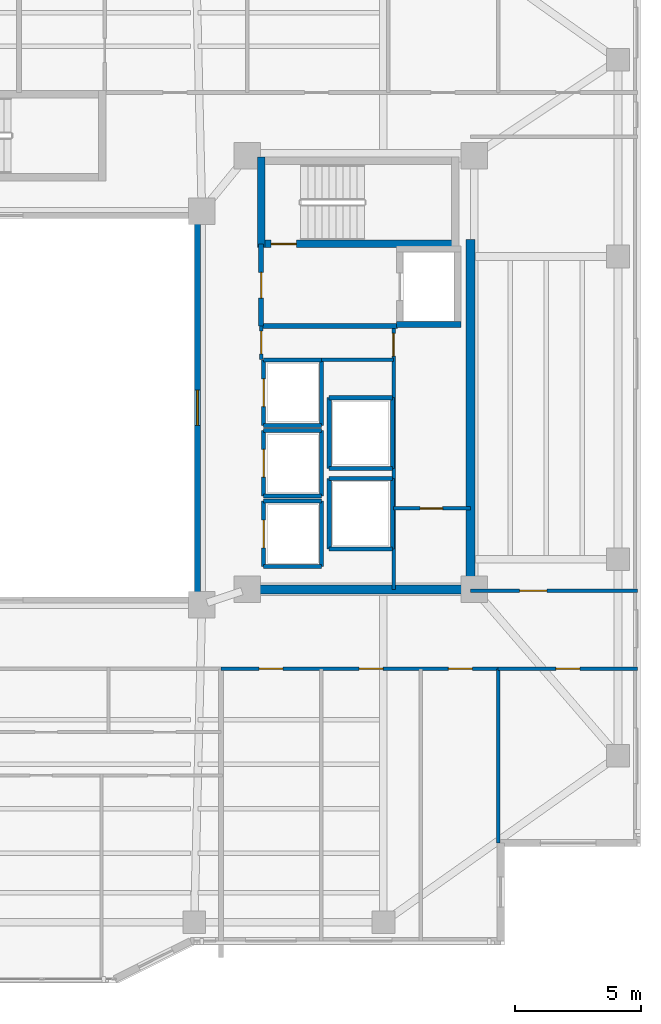
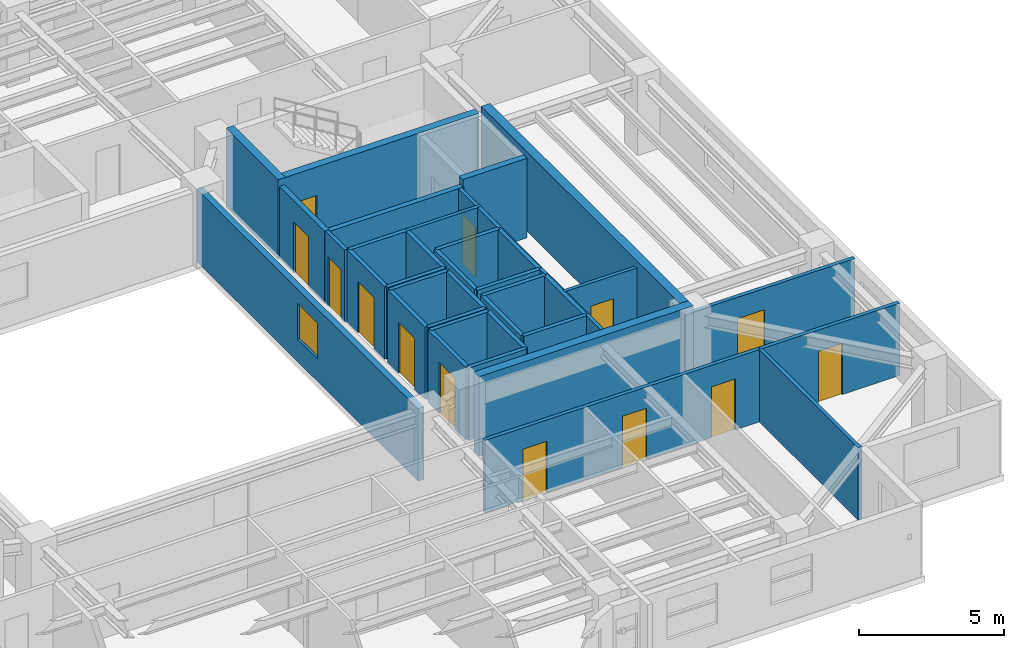
# One storey, part 8 of 15: 36 walls, 13 doors, 1 window, 14 openings.
"""IFC4 building model written with IfcOpenShell, lengths in metres."""

from ifc_helpers import new_model, si_unit, direction, frame, frame_2d, origin, place, context, subcontext, project, spatial, rectangle, extrude, material, layer, layer_set, type_object, element, fill, save


model = new_model("IFC4")

# Units and contexts
model_context = context("Model", 3, precision=1e-05, world=origin(), true_north=direction((0.0, 1.0)))
body_context = subcontext(model_context, "Body", "Model", "MODEL_VIEW")
ifc_project = project(units=[si_unit("LENGTHUNIT", "METRE"), si_unit("AREAUNIT", "SQUARE_METRE"), si_unit("VOLUMEUNIT", "CUBIC_METRE"), si_unit("PLANEANGLEUNIT", "RADIAN"), si_unit("MASSUNIT", "GRAM", prefix="KILO")], contexts=[model_context])

# Site, building, storey
site_placement = place(None, origin())
site = spatial("IfcSite", under=ifc_project, at=site_placement, CompositionType="ELEMENT")
building_placement = place(site_placement, origin())
building = spatial("IfcBuilding", under=site, at=building_placement, Name="Tarnavaz Court Tower", CompositionType="ELEMENT")
storey_placement = place(building_placement, frame((0.0, 0.0, 169.449951171875)))
storey = spatial("IfcBuildingStorey", under=building, at=storey_placement, Name="L46", CompositionType="ELEMENT", Elevation=169.449951171875)

# Wall
ifc_material_1 = material(Name="Concrete C50/60", Category="concrete")
ifc_layer_1 = layer(ifc_material_1, 0.25)
ifc_layer_set_1 = layer_set([ifc_layer_1], Name="Concrete C50/60")
wall_type_1 = type_object("IfcWallType", Name="WL-CORE-250-C50", PredefinedType="SHEAR", material=ifc_layer_set_1)
wall_1_placement = place(storey_placement, frame((15.52490234375, 3.300048828125, 0.0), z_axis=(0.0, 0.0, 1.0), x_axis=(1.0, 0.0, 0.0)))
element("IfcWall", 1, at=wall_1_placement, inside=storey, type_object=wall_type_1, Name="L46 Lift FL-E1 Shaft Wall 035", PredefinedType="SHEAR", context=body_context, shape_type="SweptSolid", body=[
    extrude(rectangle(XDim=2.550048828125, YDim=0.25, at=frame_2d((1.27490234375, 0.0))), origin(), (0.0, 0.0, 1.0), 3.35009765625),
])

# Wall, opening, door
ifc_layer_2 = layer(ifc_material_1, 0.300048828125)
ifc_layer_set_2 = layer_set([ifc_layer_2], Name="Concrete C50/60")
wall_type_2 = type_object("IfcWallType", Name="WL-CORE-300-C50", PredefinedType="SHEAR", material=ifc_layer_set_2)
wall_2_placement = place(storey_placement, frame((10.0, 6.5, 0.0), z_axis=(0.0, 0.0, 1.0), x_axis=(1.0, 0.0, 0.0)))
wall_2 = element("IfcWall", 2, at=wall_2_placement, inside=storey, type_object=wall_type_2, Name="L46 East Stair Core Wall 006", PredefinedType="SHEAR", context=body_context, shape_type="SweptSolid", body=[
    extrude(rectangle(XDim=8.0, YDim=0.300048828125, at=frame_2d((4.0, 0.0))), origin(), (0.0, 0.0, 1.0), 3.35009765625),
])
opening_1_placement = place(wall_2_placement, frame((0.550048828125, 0.0, 0.0)))
opening_1 = element("IfcOpeningElement", 3, at=opening_1_placement, cuts=wall_2, Name="Opening D01", PredefinedType="OPENING", context=body_context, shape_type="SweptSolid", body=[
    extrude(rectangle(XDim=1.0, YDim=2.14990234375, at=frame_2d((0.5, 1.074951171875))), frame((0.0, 0.159912109375, 0.0), z_axis=(0.0, -1.0, 0.0), x_axis=(1.0, 0.0, 0.0)), (0.0, 0.0, 1.0), 0.320068359375),
])
ifc_material_2 = material(Name="Fire-Rated Hardwood Timber Core", Category="wood")
door_type_1 = type_object("IfcDoorType", Name="DR-FD90-1000", OperationType="NOTDEFINED", PredefinedType="DOOR", material=ifc_material_2)
door_1_placement = place(opening_1_placement, origin())
door_1 = element("IfcDoor", 4, at=door_1_placement, inside=storey, type_object=door_type_1, Name="L46 Stair ST-E1 Exit Door", OperationType="SINGLE_SWING_RIGHT", OverallHeight=2.14990234375, OverallWidth=1.0, PredefinedType="DOOR", context=body_context, shape_type="SweptSolid", body=[
    extrude(rectangle(XDim=1.0, YDim=2.14990234375, at=frame_2d((0.5, 1.074951171875))), frame((0.0, 0.02490234375, 0.0), z_axis=(0.0, -1.0, 0.0), x_axis=(1.0, 0.0, 0.0)), (0.0, 0.0, 1.0), 0.050048828125),
])
fill(opening_1, door_1)

# Walls
wall_3_placement = place(storey_placement, frame((10.14990234375, 6.35009765625, 0.0), z_axis=(0.0, 0.0, 1.0), x_axis=(0.0, 1.0, 0.0)))
element("IfcWall", 5, at=wall_3_placement, inside=storey, type_object=wall_type_2, Name="L46 East Stair Core Wall 007", PredefinedType="SHEAR", context=body_context, shape_type="SweptSolid", body=[
    extrude(rectangle(XDim=3.58984375, YDim=0.300048828125, at=frame_2d((1.794921875, 0.0))), origin(), (0.0, 0.0, 1.0), 3.35009765625),
])
ifc_layer_3 = layer(ifc_material_1, 0.35009765625)
ifc_layer_set_3 = layer_set([ifc_layer_3], Name="Concrete C50/60")
wall_type_3 = type_object("IfcWallType", Name="WL-CORE-350-C50", PredefinedType="SHEAR", material=ifc_layer_set_3)
wall_4_placement = place(storey_placement, frame((18.449951171875, -7.375, 0.0), z_axis=(0.0, 0.0, 1.0), x_axis=(0.0, 1.0, 0.0)))
element("IfcWall", 6, at=wall_4_placement, inside=storey, type_object=wall_type_3, Name="L46 East Core Shear Wall 059", PredefinedType="SHEAR", context=body_context, shape_type="SweptSolid", body=[
    extrude(rectangle(XDim=14.050048828125, YDim=0.35009765625, at=frame_2d((7.02490234375, 0.0))), origin(), (0.0, 0.0, 1.0), 3.35009765625),
])
wall_5_placement = place(storey_placement, frame((10.074951171875, -7.199951171875, 0.0), z_axis=(0.0, 0.0, 1.0), x_axis=(1.0, 0.0, 0.0)))
element("IfcWall", 7, at=wall_5_placement, inside=storey, type_object=wall_type_3, Name="L46 East Core South Shear Wall 060", PredefinedType="SHEAR", context=body_context, shape_type="SweptSolid", body=[
    extrude(rectangle(XDim=8.550048828125, YDim=0.35009765625, at=frame_2d((4.27490234375, 0.0))), origin(), (0.0, 0.0, 1.0), 3.35009765625),
])

# Wall, openings, doors
ifc_material_3 = material(Name="Gypsum Fire-Board on Acoustic Metal Stud", Category="masonry")
ifc_layer_4 = layer(ifc_material_3, 0.14990234375)
ifc_layer_set_4 = layer_set([ifc_layer_4], Name="Gypsum Fire-Board on Acoustic Metal Stud")
wall_type_4 = type_object("IfcWallType", Name="WL-FIRE-150", PredefinedType="PARTITIONING", material=ifc_layer_set_4)
wall_6_placement = place(storey_placement, frame((8.550048828125, -10.35009765625, 0.0), z_axis=(0.0, 0.0, 1.0), x_axis=(1.0, 0.0, 0.0)))
wall_6 = element("IfcWall", 8, at=wall_6_placement, inside=storey, type_object=wall_type_4, Name="L46 SE Horseshoe Wall 074", PredefinedType="PARTITIONING", context=body_context, shape_type="SweptSolid", body=[
    extrude(rectangle(XDim=11.0, YDim=0.14990234375, at=frame_2d((5.5, 0.0))), origin(), (0.0, 0.0, 1.0), 3.050048828125),
])
opening_2_placement = place(wall_6_placement, frame((1.51611328125, 0.0, 0.0)))
opening_2 = element("IfcOpeningElement", 9, at=opening_2_placement, cuts=wall_6, Name="Opening D13", PredefinedType="OPENING", context=body_context, shape_type="SweptSolid", body=[
    extrude(rectangle(XDim=0.949951171875, YDim=2.14990234375, at=frame_2d((0.47509765625, 1.074951171875))), frame((0.0, 0.0849609375, 0.0), z_axis=(0.0, -1.0, 0.0), x_axis=(1.0, 0.0, 0.0)), (0.0, 0.0, 1.0), 0.169921875),
])
opening_3_placement = place(wall_6_placement, frame((5.488037109375, 0.0, 0.0)))
opening_3 = element("IfcOpeningElement", 10, at=opening_3_placement, cuts=wall_6, Name="Opening D13", PredefinedType="OPENING", context=body_context, shape_type="SweptSolid", body=[
    extrude(rectangle(XDim=0.949951171875, YDim=2.14990234375, at=frame_2d((0.47509765625, 1.074951171875))), frame((0.0, 0.0849609375, 0.0), z_axis=(0.0, -1.0, 0.0), x_axis=(1.0, 0.0, 0.0)), (0.0, 0.0, 1.0), 0.169921875),
])
opening_4_placement = place(wall_6_placement, frame((9.02197265625, 0.0, 0.0)))
opening_4 = element("IfcOpeningElement", 11, at=opening_4_placement, cuts=wall_6, Name="Opening D13", PredefinedType="OPENING", context=body_context, shape_type="SweptSolid", body=[
    extrude(rectangle(XDim=0.949951171875, YDim=2.14990234375, at=frame_2d((0.47509765625, 1.074951171875))), frame((0.0, 0.0849609375, 0.0), z_axis=(0.0, -1.0, 0.0), x_axis=(1.0, 0.0, 0.0)), (0.0, 0.0, 1.0), 0.169921875),
])
ifc_material_4 = material(Name="Engineered Oak Timber", Category="wood")
door_type_2 = type_object("IfcDoorType", Name="DR-INT-950", OperationType="NOTDEFINED", PredefinedType="DOOR", material=ifc_material_4)
door_2_placement = place(opening_2_placement, origin())
door_2 = element("IfcDoor", 12, at=door_2_placement, inside=storey, type_object=door_type_2, Name="L46 Resident Community Meeting Room Door", OperationType="SINGLE_SWING_RIGHT", OverallHeight=2.14990234375, OverallWidth=0.949951171875, PredefinedType="DOOR", context=body_context, shape_type="SweptSolid", body=[
    extrude(rectangle(XDim=0.949951171875, YDim=2.14990234375, at=frame_2d((0.47509765625, 1.074951171875))), frame((0.0, 0.02490234375, 0.0), z_axis=(0.0, -1.0, 0.0), x_axis=(1.0, 0.0, 0.0)), (0.0, 0.0, 1.0), 0.050048828125),
])
fill(opening_2, door_2)
door_3_placement = place(opening_3_placement, origin())
door_3 = element("IfcDoor", 13, at=door_3_placement, inside=storey, type_object=door_type_2, Name="L46 Craft and Maker Workshop Room Door", OperationType="SINGLE_SWING_LEFT", OverallHeight=2.14990234375, OverallWidth=0.949951171875, PredefinedType="DOOR", context=body_context, shape_type="SweptSolid", body=[
    extrude(rectangle(XDim=0.949951171875, YDim=2.14990234375, at=frame_2d((0.47509765625, 1.074951171875))), frame((0.0, 0.02490234375, 0.0), z_axis=(0.0, -1.0, 0.0), x_axis=(1.0, 0.0, 0.0)), (0.0, 0.0, 1.0), 0.050048828125),
])
fill(opening_3, door_3)
door_4_placement = place(opening_4_placement, origin())
door_4 = element("IfcDoor", 14, at=door_4_placement, inside=storey, type_object=door_type_2, Name="L46 Accessible Washroom WC Door", OperationType="SINGLE_SWING_RIGHT", OverallHeight=2.14990234375, OverallWidth=0.949951171875, PredefinedType="DOOR", context=body_context, shape_type="SweptSolid", body=[
    extrude(rectangle(XDim=0.949951171875, YDim=2.14990234375, at=frame_2d((0.47509765625, 1.074951171875))), frame((0.0, 0.02490234375, 0.0), z_axis=(0.0, -1.0, 0.0), x_axis=(1.0, 0.0, 0.0)), (0.0, 0.0, 1.0), 0.050048828125),
])
fill(opening_4, door_4)

# Wall, opening, door
wall_7_placement = place(storey_placement, frame((18.449951171875, -7.25, 0.0), z_axis=(0.0, 0.0, 1.0), x_axis=(1.0, 0.0, 0.0)))
wall_7 = element("IfcWall", 15, at=wall_7_placement, inside=storey, type_object=wall_type_4, Name="L46 Interior Partition 097", PredefinedType="PARTITIONING", context=body_context, shape_type="SweptSolid", body=[
    extrude(rectangle(XDim=6.630126953125, YDim=0.14990234375, at=frame_2d((3.31494140625, 0.0))), origin(), (0.0, 0.0, 1.0), 3.050048828125),
])
opening_5_placement = place(wall_7_placement, frame((1.949951171875, 0.0, 0.0)))
opening_5 = element("IfcOpeningElement", 16, at=opening_5_placement, cuts=wall_7, Name="Opening D12", PredefinedType="OPENING", context=body_context, shape_type="SweptSolid", body=[
    extrude(rectangle(XDim=1.080078125, YDim=2.14990234375, at=frame_2d((0.5400390625, 1.074951171875))), frame((0.0, 0.0849609375, 0.0), z_axis=(0.0, -1.0, 0.0), x_axis=(1.0, 0.0, 0.0)), (0.0, 0.0, 1.0), 0.169921875),
])
door_type_3 = type_object("IfcDoorType", Name="DR-INT-1100", OperationType="NOTDEFINED", PredefinedType="DOOR", material=ifc_material_4)
door_5_placement = place(opening_5_placement, origin())
door_5 = element("IfcDoor", 17, at=door_5_placement, inside=storey, type_object=door_type_3, Name="L46 East Fitness Lounge Door", OperationType="SINGLE_SWING_RIGHT", OverallHeight=2.14990234375, OverallWidth=1.080078125, PredefinedType="DOOR", context=body_context, shape_type="SweptSolid", body=[
    extrude(rectangle(XDim=1.080078125, YDim=2.14990234375, at=frame_2d((0.5400390625, 1.074951171875))), frame((0.0, 0.02490234375, 0.0), z_axis=(0.0, -1.0, 0.0), x_axis=(1.0, 0.0, 0.0)), (0.0, 0.0, 1.0), 0.050048828125),
])
fill(opening_5, door_5)

wall_8_placement = place(storey_placement, frame((19.550048828125, -10.35009765625, 0.0), z_axis=(0.0, 0.0, 1.0), x_axis=(1.0, 0.0, 0.0)))
wall_8 = element("IfcWall", 18, at=wall_8_placement, inside=storey, type_object=wall_type_4, Name="L46 Interior Partition 106", PredefinedType="PARTITIONING", context=body_context, shape_type="SweptSolid", body=[
    extrude(rectangle(XDim=5.530029296875, YDim=0.14990234375, at=frame_2d((2.76513671875, 0.0))), origin(), (0.0, 0.0, 1.0), 3.050048828125),
])
opening_6_placement = place(wall_8_placement, frame((2.2900390625, 0.0, 0.0)))
opening_6 = element("IfcOpeningElement", 19, at=opening_6_placement, cuts=wall_8, Name="Opening D13", PredefinedType="OPENING", context=body_context, shape_type="SweptSolid", body=[
    extrude(rectangle(XDim=0.949951171875, YDim=2.14990234375, at=frame_2d((0.47509765625, 1.074951171875))), frame((0.0, 0.0849609375, 0.0), z_axis=(0.0, -1.0, 0.0), x_axis=(1.0, 0.0, 0.0)), (0.0, 0.0, 1.0), 0.169921875),
])
door_6_placement = place(opening_6_placement, origin())
door_6 = element("IfcDoor", 20, at=door_6_placement, inside=storey, type_object=door_type_2, Name="L46 SE Reading Room Door", OperationType="SINGLE_SWING_RIGHT", OverallHeight=2.14990234375, OverallWidth=0.949951171875, PredefinedType="DOOR", context=body_context, shape_type="SweptSolid", body=[
    extrude(rectangle(XDim=0.949951171875, YDim=2.14990234375, at=frame_2d((0.47509765625, 1.074951171875))), frame((0.0, 0.02490234375, 0.0), z_axis=(0.0, -1.0, 0.0), x_axis=(1.0, 0.0, 0.0)), (0.0, 0.0, 1.0), 0.050048828125),
])
fill(opening_6, door_6)

# Wall
ifc_material_5 = material(Name="Autoclaved Aerated Concrete Blockwork", Category="masonry")
ifc_layer_5 = layer(ifc_material_5, 0.199951171875)
ifc_layer_set_5 = layer_set([ifc_layer_5], Name="Autoclaved Aerated Concrete Blockwork")
wall_type_5 = type_object("IfcWallType", Name="WL-FIRE-200", PredefinedType="SOLIDWALL", material=ifc_layer_set_5)
wall_9_placement = place(storey_placement, frame((10.14990234375, 3.25, 0.0), z_axis=(0.0, 0.0, 1.0), x_axis=(1.0, 0.0, 0.0)))
element("IfcWall", 21, at=wall_9_placement, inside=storey, type_object=wall_type_5, Name="L46 East Firefighting Lobby Wall 015", PredefinedType="SOLIDWALL", context=body_context, shape_type="SweptSolid", body=[
    extrude(rectangle(XDim=5.400146484375, YDim=0.199951171875, at=frame_2d((2.7001953125, 0.0))), origin(), (0.0, 0.0, 1.0), 3.050048828125),
])

# Wall, opening, door
wall_10_placement = place(storey_placement, frame((10.14990234375, 3.25, 0.0), z_axis=(0.0, 0.0, 1.0), x_axis=(0.0, 1.0, 0.0)))
wall_10 = element("IfcWall", 22, at=wall_10_placement, inside=storey, type_object=wall_type_5, Name="L46 East Firefighting Lobby Wall 016", PredefinedType="SOLIDWALL", context=body_context, shape_type="SweptSolid", body=[
    extrude(rectangle(XDim=3.25, YDim=0.199951171875, at=frame_2d((1.625, 0.0))), origin(), (0.0, 0.0, 1.0), 3.050048828125),
])
opening_7_placement = place(wall_10_placement, frame((1.10009765625, 0.0, 0.0)))
opening_7 = element("IfcOpeningElement", 23, at=opening_7_placement, cuts=wall_10, Name="Opening D05", PredefinedType="OPENING", context=body_context, shape_type="SweptSolid", body=[
    extrude(rectangle(XDim=1.02001953125, YDim=2.14990234375, at=frame_2d((0.510009765625, 1.074951171875))), frame((0.0, 0.10986328125, 0.0), z_axis=(0.0, -1.0, 0.0), x_axis=(1.0, 0.0, 0.0)), (0.0, 0.0, 1.0), 0.219970703125),
])
door_type_4 = type_object("IfcDoorType", Name="DR-FD60-1000", OperationType="NOTDEFINED", PredefinedType="DOOR", material=ifc_material_2)
door_7_placement = place(opening_7_placement, origin())
door_7 = element("IfcDoor", 24, at=door_7_placement, inside=storey, type_object=door_type_4, Name="L46 East Firefighting Lobby Door", OperationType="SINGLE_SWING_LEFT", OverallHeight=2.14990234375, OverallWidth=1.02001953125, PredefinedType="DOOR", context=body_context, shape_type="SweptSolid", body=[
    extrude(rectangle(XDim=1.02001953125, YDim=2.14990234375, at=frame_2d((0.510009765625, 1.074951171875))), frame((0.0, 0.02490234375, 0.0), z_axis=(0.0, -1.0, 0.0), x_axis=(1.0, 0.0, 0.0)), (0.0, 0.0, 1.0), 0.050048828125),
])
fill(opening_7, door_7)

# Wall
ifc_material_6 = material(Name="Gypsum Plasterboard Acoustic Partition", Category="masonry")
ifc_layer_6 = layer(ifc_material_6, 0.139892578125)
ifc_layer_set_6 = layer_set([ifc_layer_6], Name="Gypsum Plasterboard Acoustic Partition")
wall_type_6 = type_object("IfcWallType", Name="WL-PART-150", PredefinedType="PARTITIONING", material=ifc_layer_set_6)
wall_11_placement = place(storey_placement, frame((12.550048828125, 1.89990234375, 0.0), z_axis=(0.0, 0.0, 1.0), x_axis=(1.0, 0.0, 0.0)))
element("IfcWall", 25, at=wall_11_placement, inside=storey, type_object=wall_type_6, Name="L46 Interior Partition 067", PredefinedType="PARTITIONING", context=body_context, shape_type="SweptSolid", body=[
    extrude(rectangle(XDim=2.849853515625, YDim=0.139892578125, at=frame_2d((1.4248046875, 0.0))), origin(), (0.0, 0.0, 1.0), 3.050048828125),
])

# Wall, opening, door
wall_12_placement = place(storey_placement, frame((10.14990234375, 1.919921875, 0.0), z_axis=(0.0, 0.0, 1.0), x_axis=(0.0, 1.0, 0.0)))
wall_12 = element("IfcWall", 26, at=wall_12_placement, inside=storey, type_object=wall_type_6, Name="L46 Interior Partition 068", PredefinedType="PARTITIONING", context=body_context, shape_type="SweptSolid", body=[
    extrude(rectangle(XDim=1.330078125, YDim=0.139892578125, at=frame_2d((0.6650390625, 0.0))), origin(), (0.0, 0.0, 1.0), 3.050048828125),
])
opening_8_placement = place(wall_12_placement, frame((0.219970703125, 0.0, 0.0)))
opening_8 = element("IfcOpeningElement", 27, at=opening_8_placement, cuts=wall_12, Name="Opening D09", PredefinedType="OPENING", context=body_context, shape_type="SweptSolid", body=[
    extrude(rectangle(XDim=0.89990234375, YDim=2.080078125, at=frame_2d((0.449951171875, 1.0400390625))), frame((0.0, 0.079833984375, 0.0), z_axis=(0.0, -1.0, 0.0), x_axis=(1.0, 0.0, 0.0)), (0.0, 0.0, 1.0), 0.159912109375),
])
door_type_5 = type_object("IfcDoorType", Name="DR-FD30-900", OperationType="NOTDEFINED", PredefinedType="DOOR", material=ifc_material_2)
door_8_placement = place(opening_8_placement, origin())
door_8 = element("IfcDoor", 28, at=door_8_placement, inside=storey, type_object=door_type_5, Name="L46 East Core Service Lobby Door", OperationType="SINGLE_SWING_RIGHT", OverallHeight=2.080078125, OverallWidth=0.89990234375, PredefinedType="DOOR", context=body_context, shape_type="SweptSolid", body=[
    extrude(rectangle(XDim=0.89990234375, YDim=2.080078125, at=frame_2d((0.449951171875, 1.0400390625))), frame((0.0, 0.02490234375, 0.0), z_axis=(0.0, -1.0, 0.0), x_axis=(1.0, 0.0, 0.0)), (0.0, 0.0, 1.0), 0.050048828125),
])
fill(opening_8, door_8)

wall_13_placement = place(storey_placement, frame((15.39990234375, -7.199951171875, 0.0), z_axis=(0.0, 0.0, 1.0), x_axis=(0.0, 1.0, 0.0)))
wall_13 = element("IfcWall", 29, at=wall_13_placement, inside=storey, type_object=wall_type_6, Name="L46 Interior Partition 069", PredefinedType="PARTITIONING", context=body_context, shape_type="SweptSolid", body=[
    extrude(rectangle(XDim=10.449951171875, YDim=0.139892578125, at=frame_2d((5.22509765625, 0.0))), origin(), (0.0, 0.0, 1.0), 3.050048828125),
])
opening_9_placement = place(wall_13_placement, frame((9.25, 0.0, 0.0)))
opening_9 = element("IfcOpeningElement", 30, at=opening_9_placement, cuts=wall_13, Name="Opening D09", PredefinedType="OPENING", context=body_context, shape_type="SweptSolid", body=[
    extrude(rectangle(XDim=0.89990234375, YDim=2.080078125, at=frame_2d((0.449951171875, 1.0400390625))), frame((0.0, 0.079833984375, 0.0), z_axis=(0.0, -1.0, 0.0), x_axis=(1.0, 0.0, 0.0)), (0.0, 0.0, 1.0), 0.159912109375),
])
door_9_placement = place(opening_9_placement, origin())
door_9 = element("IfcDoor", 31, at=door_9_placement, inside=storey, type_object=door_type_5, Name="L46 East Wet Riser Door", OperationType="SINGLE_SWING_LEFT", OverallHeight=2.080078125, OverallWidth=0.89990234375, PredefinedType="DOOR", context=body_context, shape_type="SweptSolid", body=[
    extrude(rectangle(XDim=0.89990234375, YDim=2.080078125, at=frame_2d((0.449951171875, 1.0400390625))), frame((0.0, 0.02490234375, 0.0), z_axis=(0.0, -1.0, 0.0), x_axis=(1.0, 0.0, 0.0)), (0.0, 0.0, 1.0), 0.050048828125),
])
fill(opening_9, door_9)

wall_14_placement = place(storey_placement, frame((15.39990234375, -3.989990234375, 0.0), z_axis=(0.0, 0.0, 1.0), x_axis=(1.0, 0.0, 0.0)))
wall_14 = element("IfcWall", 32, at=wall_14_placement, inside=storey, type_object=wall_type_6, Name="L46 Interior Partition 070", PredefinedType="PARTITIONING", context=body_context, shape_type="SweptSolid", body=[
    extrude(rectangle(XDim=3.050048828125, YDim=0.139892578125, at=frame_2d((1.52490234375, 0.0))), origin(), (0.0, 0.0, 1.0), 3.050048828125),
])
opening_10_placement = place(wall_14_placement, frame((1.050048828125, 0.0, 0.0)))
opening_10 = element("IfcOpeningElement", 33, at=opening_10_placement, cuts=wall_14, Name="Opening D09", PredefinedType="OPENING", context=body_context, shape_type="SweptSolid", body=[
    extrude(rectangle(XDim=0.89990234375, YDim=2.080078125, at=frame_2d((0.449951171875, 1.0400390625))), frame((0.0, 0.079833984375, 0.0), z_axis=(0.0, -1.0, 0.0), x_axis=(1.0, 0.0, 0.0)), (0.0, 0.0, 1.0), 0.159912109375),
])
door_10_placement = place(opening_10_placement, origin())
door_10 = element("IfcDoor", 34, at=door_10_placement, inside=storey, type_object=door_type_5, Name="L46 East Electrical Plant Door", OperationType="SINGLE_SWING_RIGHT", OverallHeight=2.080078125, OverallWidth=0.89990234375, PredefinedType="DOOR", context=body_context, shape_type="SweptSolid", body=[
    extrude(rectangle(XDim=0.89990234375, YDim=2.080078125, at=frame_2d((0.449951171875, 1.0400390625))), frame((0.0, 0.02490234375, 0.0), z_axis=(0.0, -1.0, 0.0), x_axis=(1.0, 0.0, 0.0)), (0.0, 0.0, 1.0), 0.050048828125),
])
fill(opening_10, door_10)

# Wall
wall_15_placement = place(storey_placement, frame((19.550048828125, -17.25, 0.0), z_axis=(0.0, 0.0, 1.0), x_axis=(0.0, 1.0, 0.0)))
element("IfcWall", 35, at=wall_15_placement, inside=storey, type_object=wall_type_6, Name="L46 Interior Partition 100", PredefinedType="PARTITIONING", context=body_context, shape_type="SweptSolid", body=[
    extrude(rectangle(XDim=6.89990234375, YDim=0.139892578125, at=frame_2d((3.449951171875, 0.0))), origin(), (0.0, 0.0, 1.0), 3.050048828125),
])

# Wall, opening, door
ifc_layer_7 = layer(ifc_material_5, 0.159912109375)
ifc_layer_set_7 = layer_set([ifc_layer_7], Name="Autoclaved Aerated Concrete Blockwork")
wall_type_7 = type_object("IfcWallType", Name="WL-SHAFT-150", PredefinedType="SOLIDWALL", material=ifc_layer_set_7)
wall_16_placement = place(storey_placement, frame((10.25, -6.300048828125, 0.0), z_axis=(0.0, 0.0, 1.0), x_axis=(0.0, 1.0, 0.0)))
wall_16 = element("IfcWall", 36, at=wall_16_placement, inside=storey, type_object=wall_type_7, Name="L46 Lift PL-M1 Shaft Wall 037", PredefinedType="SOLIDWALL", context=body_context, shape_type="SweptSolid", body=[
    extrude(rectangle(XDim=2.60009765625, YDim=0.159912109375, at=frame_2d((1.300048828125, 0.0))), origin(), (0.0, 0.0, 1.0), 3.050048828125),
])
opening_11_placement = place(wall_16_placement, frame((0.75, 0.0, 0.0)))
opening_11 = element("IfcOpeningElement", 37, at=opening_11_placement, cuts=wall_16, Name="Opening LD1", PredefinedType="OPENING", context=body_context, shape_type="SweptSolid", body=[
    extrude(rectangle(XDim=1.10009765625, YDim=2.14990234375, at=frame_2d((0.550048828125, 1.074951171875))), frame((0.0, 0.08984375, 0.0), z_axis=(0.0, -1.0, 0.0), x_axis=(1.0, 0.0, 0.0)), (0.0, 0.0, 1.0), 0.179931640625),
])
ifc_material_7 = material(Name="Stainless Steel", Category="steel")
door_type_6 = type_object("IfcDoorType", Name="DR-LD-1100", OperationType="NOTDEFINED", PredefinedType="DOOR", material=ifc_material_7)
door_11_placement = place(opening_11_placement, origin())
door_11 = element("IfcDoor", 38, at=door_11_placement, inside=storey, type_object=door_type_6, Name="L46 Lift Landing Door LD-PL-M1", OperationType="SLIDING_TO_LEFT", OverallHeight=2.14990234375, OverallWidth=1.10009765625, PredefinedType="DOOR", context=body_context, shape_type="SweptSolid", body=[
    extrude(rectangle(XDim=1.10009765625, YDim=2.14990234375, at=frame_2d((0.550048828125, 1.074951171875))), frame((0.0, 0.02490234375, 0.0), z_axis=(0.0, -1.0, 0.0), x_axis=(1.0, 0.0, 0.0)), (0.0, 0.0, 1.0), 0.050048828125),
])
fill(opening_11, door_11)

# Walls
wall_17_placement = place(storey_placement, frame((12.550048828125, -6.300048828125, 0.0), z_axis=(0.0, 0.0, 1.0), x_axis=(0.0, 1.0, 0.0)))
element("IfcWall", 39, at=wall_17_placement, inside=storey, type_object=wall_type_7, Name="L46 Lift PL-M1 Shaft Wall 038", PredefinedType="SOLIDWALL", context=body_context, shape_type="SweptSolid", body=[
    extrude(rectangle(XDim=2.60009765625, YDim=0.159912109375, at=frame_2d((1.300048828125, 0.0))), origin(), (0.0, 0.0, 1.0), 3.050048828125),
])
for number, where, z_axis, x_axis, name in (
    (40, (10.25, -6.300048828125, 0.0), (0.0, 0.0, 1.0), (1.0, 0.0, 0.0), "L46 Lift PL-M1 Shaft Wall 039"),
    (41, (10.25, -3.699951171875, 0.0), (0.0, 0.0, 1.0), (1.0, 0.0, 0.0), "L46 Lift PL-M1 Shaft Wall 040"),
):
    element("IfcWall", number, at=place(storey_placement, frame(where, z_axis=z_axis, x_axis=x_axis)), inside=storey, type_object=wall_type_7, Name=name, PredefinedType="SOLIDWALL", context=body_context, shape_type="SweptSolid", body=[
        extrude(rectangle(XDim=2.300048828125, YDim=0.159912109375, at=frame_2d((1.14990234375, 0.0))), origin(), (0.0, 0.0, 1.0), 3.050048828125),
    ])

# Wall, opening, door
wall_18_placement = place(storey_placement, frame((10.25, -3.5, 0.0), z_axis=(0.0, 0.0, 1.0), x_axis=(0.0, 1.0, 0.0)))
wall_18 = element("IfcWall", 42, at=wall_18_placement, inside=storey, type_object=wall_type_7, Name="L46 Lift PL-M2 Shaft Wall 041", PredefinedType="SOLIDWALL", context=body_context, shape_type="SweptSolid", body=[
    extrude(rectangle(XDim=2.60009765625, YDim=0.159912109375, at=frame_2d((1.300048828125, 0.0))), origin(), (0.0, 0.0, 1.0), 3.050048828125),
])
opening_12_placement = place(wall_18_placement, frame((0.75, 0.0, 0.0)))
opening_12 = element("IfcOpeningElement", 43, at=opening_12_placement, cuts=wall_18, Name="Opening LD1", PredefinedType="OPENING", context=body_context, shape_type="SweptSolid", body=[
    extrude(rectangle(XDim=1.10009765625, YDim=2.14990234375, at=frame_2d((0.550048828125, 1.074951171875))), frame((0.0, 0.08984375, 0.0), z_axis=(0.0, -1.0, 0.0), x_axis=(1.0, 0.0, 0.0)), (0.0, 0.0, 1.0), 0.179931640625),
])
door_12_placement = place(opening_12_placement, origin())
door_12 = element("IfcDoor", 44, at=door_12_placement, inside=storey, type_object=door_type_6, Name="L46 Lift Landing Door LD-PL-M2", OperationType="SLIDING_TO_LEFT", OverallHeight=2.14990234375, OverallWidth=1.10009765625, PredefinedType="DOOR", context=body_context, shape_type="SweptSolid", body=[
    extrude(rectangle(XDim=1.10009765625, YDim=2.14990234375, at=frame_2d((0.550048828125, 1.074951171875))), frame((0.0, 0.02490234375, 0.0), z_axis=(0.0, -1.0, 0.0), x_axis=(1.0, 0.0, 0.0)), (0.0, 0.0, 1.0), 0.050048828125),
])
fill(opening_12, door_12)

# Walls
wall_19_placement = place(storey_placement, frame((12.550048828125, -3.5, 0.0), z_axis=(0.0, 0.0, 1.0), x_axis=(0.0, 1.0, 0.0)))
element("IfcWall", 45, at=wall_19_placement, inside=storey, type_object=wall_type_7, Name="L46 Lift PL-M2 Shaft Wall 042", PredefinedType="SOLIDWALL", context=body_context, shape_type="SweptSolid", body=[
    extrude(rectangle(XDim=2.60009765625, YDim=0.159912109375, at=frame_2d((1.300048828125, 0.0))), origin(), (0.0, 0.0, 1.0), 3.050048828125),
])
for number, where, z_axis, x_axis, name in (
    (46, (10.25, -3.5, 0.0), (0.0, 0.0, 1.0), (1.0, 0.0, 0.0), "L46 Lift PL-M2 Shaft Wall 043"),
    (47, (10.25, -0.89990234375, 0.0), (0.0, 0.0, 1.0), (1.0, 0.0, 0.0), "L46 Lift PL-M2 Shaft Wall 044"),
):
    element("IfcWall", number, at=place(storey_placement, frame(where, z_axis=z_axis, x_axis=x_axis)), inside=storey, type_object=wall_type_7, Name=name, PredefinedType="SOLIDWALL", context=body_context, shape_type="SweptSolid", body=[
        extrude(rectangle(XDim=2.300048828125, YDim=0.159912109375, at=frame_2d((1.14990234375, 0.0))), origin(), (0.0, 0.0, 1.0), 3.050048828125),
    ])

# Wall, opening, door
wall_20_placement = place(storey_placement, frame((10.25, -0.699951171875, 0.0), z_axis=(0.0, 0.0, 1.0), x_axis=(0.0, 1.0, 0.0)))
wall_20 = element("IfcWall", 48, at=wall_20_placement, inside=storey, type_object=wall_type_7, Name="L46 Lift PL-M3 Shaft Wall 045", PredefinedType="SOLIDWALL", context=body_context, shape_type="SweptSolid", body=[
    extrude(rectangle(XDim=2.599853515625, YDim=0.159912109375, at=frame_2d((1.2998046875, 0.0))), origin(), (0.0, 0.0, 1.0), 3.050048828125),
])
opening_13_placement = place(wall_20_placement, frame((0.75, 0.0, 0.0)))
opening_13 = element("IfcOpeningElement", 49, at=opening_13_placement, cuts=wall_20, Name="Opening LD1", PredefinedType="OPENING", context=body_context, shape_type="SweptSolid", body=[
    extrude(rectangle(XDim=1.10009765625, YDim=2.14990234375, at=frame_2d((0.550048828125, 1.074951171875))), frame((0.0, 0.08984375, 0.0), z_axis=(0.0, -1.0, 0.0), x_axis=(1.0, 0.0, 0.0)), (0.0, 0.0, 1.0), 0.179931640625),
])
door_13_placement = place(opening_13_placement, origin())
door_13 = element("IfcDoor", 50, at=door_13_placement, inside=storey, type_object=door_type_6, Name="L46 Lift Landing Door LD-PL-M3", OperationType="SLIDING_TO_LEFT", OverallHeight=2.14990234375, OverallWidth=1.10009765625, PredefinedType="DOOR", context=body_context, shape_type="SweptSolid", body=[
    extrude(rectangle(XDim=1.10009765625, YDim=2.14990234375, at=frame_2d((0.550048828125, 1.074951171875))), frame((0.0, 0.02490234375, 0.0), z_axis=(0.0, -1.0, 0.0), x_axis=(1.0, 0.0, 0.0)), (0.0, 0.0, 1.0), 0.050048828125),
])
fill(opening_13, door_13)

# Walls
wall_21_placement = place(storey_placement, frame((12.550048828125, -0.699951171875, 0.0), z_axis=(0.0, 0.0, 1.0), x_axis=(0.0, 1.0, 0.0)))
element("IfcWall", 51, at=wall_21_placement, inside=storey, type_object=wall_type_7, Name="L46 Lift PL-M3 Shaft Wall 046", PredefinedType="SOLIDWALL", context=body_context, shape_type="SweptSolid", body=[
    extrude(rectangle(XDim=2.599853515625, YDim=0.159912109375, at=frame_2d((1.2998046875, 0.0))), origin(), (0.0, 0.0, 1.0), 3.050048828125),
])
for number, where, z_axis, x_axis, name in (
    (52, (10.25, -0.699951171875, 0.0), (0.0, 0.0, 1.0), (1.0, 0.0, 0.0), "L46 Lift PL-M3 Shaft Wall 047"),
    (53, (10.25, 1.89990234375, 0.0), (0.0, 0.0, 1.0), (1.0, 0.0, 0.0), "L46 Lift PL-M3 Shaft Wall 048"),
):
    element("IfcWall", number, at=place(storey_placement, frame(where, z_axis=z_axis, x_axis=x_axis)), inside=storey, type_object=wall_type_7, Name=name, PredefinedType="SOLIDWALL", context=body_context, shape_type="SweptSolid", body=[
        extrude(rectangle(XDim=2.300048828125, YDim=0.159912109375, at=frame_2d((1.14990234375, 0.0))), origin(), (0.0, 0.0, 1.0), 3.050048828125),
    ])
for number, where, z_axis, x_axis, name in (
    (54, (12.85009765625, -5.60009765625, 0.0), (0.0, 0.0, 1.0), (0.0, 1.0, 0.0), "L46 Lift PL-OB1 Shaft Wall 049"),
    (55, (15.35009765625, -5.60009765625, 0.0), (0.0, 0.0, 1.0), (0.0, 1.0, 0.0), "L46 Lift PL-OB1 Shaft Wall 050"),
):
    element("IfcWall", number, at=place(storey_placement, frame(where, z_axis=z_axis, x_axis=x_axis)), inside=storey, type_object=wall_type_7, Name=name, PredefinedType="SOLIDWALL", context=body_context, shape_type="SweptSolid", body=[
        extrude(rectangle(XDim=2.800048828125, YDim=0.159912109375, at=frame_2d((1.39990234375, 0.0))), origin(), (0.0, 0.0, 1.0), 3.050048828125),
    ])
for number, where, z_axis, x_axis, name in (
    (56, (12.85009765625, -5.60009765625, 0.0), (0.0, 0.0, 1.0), (1.0, 0.0, 0.0), "L46 Lift PL-OB1 Shaft Wall 051"),
    (57, (12.85009765625, -2.800048828125, 0.0), (0.0, 0.0, 1.0), (1.0, 0.0, 0.0), "L46 Lift PL-OB1 Shaft Wall 052"),
):
    element("IfcWall", number, at=place(storey_placement, frame(where, z_axis=z_axis, x_axis=x_axis)), inside=storey, type_object=wall_type_7, Name=name, PredefinedType="SOLIDWALL", context=body_context, shape_type="SweptSolid", body=[
        extrude(rectangle(XDim=2.5, YDim=0.159912109375, at=frame_2d((1.25, 0.0))), origin(), (0.0, 0.0, 1.0), 3.050048828125),
    ])
for number, where, z_axis, x_axis, name in (
    (58, (12.85009765625, -2.39990234375, 0.0), (0.0, 0.0, 1.0), (0.0, 1.0, 0.0), "L46 Lift PL-OB2 Shaft Wall 053"),
    (59, (15.35009765625, -2.39990234375, 0.0), (0.0, 0.0, 1.0), (0.0, 1.0, 0.0), "L46 Lift PL-OB2 Shaft Wall 054"),
):
    element("IfcWall", number, at=place(storey_placement, frame(where, z_axis=z_axis, x_axis=x_axis)), inside=storey, type_object=wall_type_7, Name=name, PredefinedType="SOLIDWALL", context=body_context, shape_type="SweptSolid", body=[
        extrude(rectangle(XDim=2.7998046875, YDim=0.159912109375, at=frame_2d((1.39990234375, 0.0))), origin(), (0.0, 0.0, 1.0), 3.050048828125),
    ])
for number, where, z_axis, x_axis, name in (
    (60, (12.85009765625, -2.39990234375, 0.0), (0.0, 0.0, 1.0), (1.0, 0.0, 0.0), "L46 Lift PL-OB2 Shaft Wall 055"),
    (61, (12.85009765625, 0.39990234375, 0.0), (0.0, 0.0, 1.0), (1.0, 0.0, 0.0), "L46 Lift PL-OB2 Shaft Wall 056"),
):
    element("IfcWall", number, at=place(storey_placement, frame(where, z_axis=z_axis, x_axis=x_axis)), inside=storey, type_object=wall_type_7, Name=name, PredefinedType="SOLIDWALL", context=body_context, shape_type="SweptSolid", body=[
        extrude(rectangle(XDim=2.5, YDim=0.159912109375, at=frame_2d((1.25, 0.0))), origin(), (0.0, 0.0, 1.0), 3.050048828125),
    ])

# Wall, opening, window
ifc_material_8 = material(Name="Precast Concrete C40/50", Category="concrete")
ifc_layer_8 = layer(ifc_material_8, 0.239990234375)
ifc_layer_set_8 = layer_set([ifc_layer_8], Name="Precast Concrete C40/50")
wall_type_8 = type_object("IfcWallType", Name="WL-WELL-240", PredefinedType="SOLIDWALL", material=ifc_layer_set_8)
wall_22_placement = place(storey_placement, frame((7.6201171875, -7.6201171875, 0.0), z_axis=(0.0, 0.0, 1.0), x_axis=(0.0, 1.0, 0.0)))
wall_22 = element("IfcWall", 62, at=wall_22_placement, inside=storey, type_object=wall_type_8, Name="L46 Badgir Light-Well Exterior Wall E", PredefinedType="SOLIDWALL", context=body_context, shape_type="SweptSolid", body=[
    extrude(rectangle(XDim=15.240234375, YDim=0.239990234375, at=frame_2d((7.6201171875, 0.0))), origin(), (0.0, 0.0, 1.0), 3.050048828125),
])
opening_14_placement = place(wall_22_placement, frame((6.919921875, 0.0, 0.949951171875)))
opening_14 = element("IfcOpeningElement", 63, at=opening_14_placement, cuts=wall_22, Name="Opening W13", PredefinedType="OPENING", context=body_context, shape_type="SweptSolid", body=[
    extrude(rectangle(XDim=1.39990234375, YDim=1.5, at=frame_2d((0.699951171875, 0.75))), frame((0.0, 0.1298828125, 0.0), z_axis=(0.0, -1.0, 0.0), x_axis=(1.0, 0.0, 0.0)), (0.0, 0.0, 1.0), 0.260009765625),
])
ifc_material_9 = material(Name="Double-Glazed Solar Low-E Glass", Category="glass")
window_type = type_object("IfcWindowType", Name="WN-WEL-1400", PartitioningType="SINGLE_PANEL", PredefinedType="WINDOW", material=ifc_material_9)
window_placement = place(opening_14_placement, origin())
window = element("IfcWindow", 64, at=window_placement, inside=storey, type_object=window_type, Name="L46 Courtyard Gallery Window E", OverallHeight=1.5, OverallWidth=1.39990234375, PartitioningType="SINGLE_PANEL", PredefinedType="WINDOW", context=body_context, shape_type="SweptSolid", body=[
    extrude(rectangle(XDim=1.39990234375, YDim=1.5, at=frame_2d((0.699951171875, 0.75))), frame((0.0, 0.030029296875, 0.0), z_axis=(0.0, -1.0, 0.0), x_axis=(1.0, 0.0, 0.0)), (0.0, 0.0, 1.0), 0.06005859375),
])
fill(opening_14, window)

save(model, "model.ifc")
